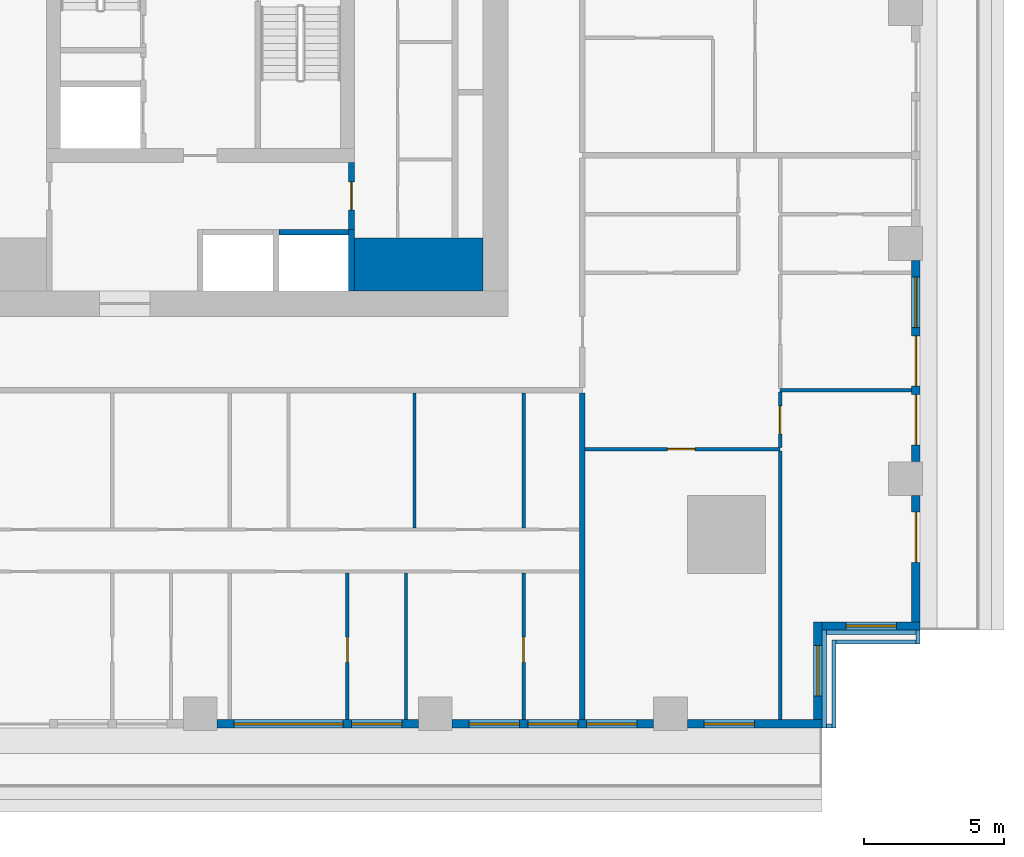
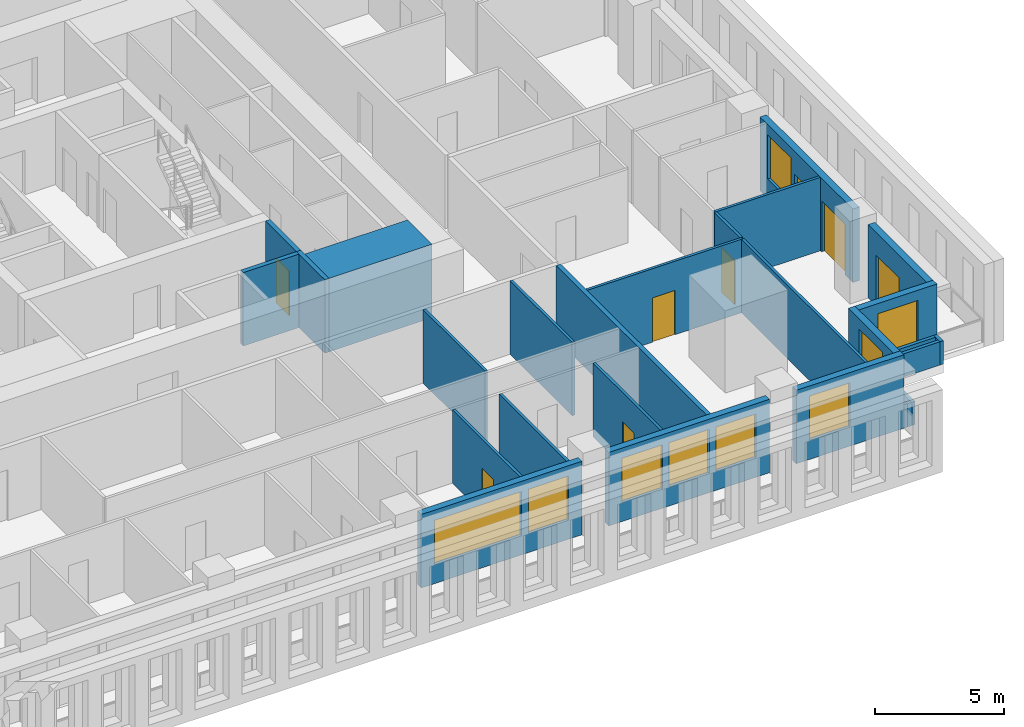
# One storey, part 5 of 16: 27 walls, 9 windows, 8 doors, 17 openings.
"""IFC4 building model written with IfcOpenShell, lengths in metres."""

from ifc_helpers import new_model, si_unit, direction, frame, frame_2d, origin, place, context, subcontext, project, spatial, rectangle, extrude, material, layer, layer_set, type_object, element, fill, save


model = new_model("IFC4")

# Units and contexts
model_context = context("Model", 3, precision=1e-05, world=origin(), true_north=direction((0.0, 1.0)))
body_context = subcontext(model_context, "Body", "Model", "MODEL_VIEW")
ifc_project = project(units=[si_unit("LENGTHUNIT", "METRE"), si_unit("AREAUNIT", "SQUARE_METRE"), si_unit("VOLUMEUNIT", "CUBIC_METRE"), si_unit("PLANEANGLEUNIT", "RADIAN"), si_unit("MASSUNIT", "GRAM", prefix="KILO")], contexts=[model_context])

# Site, building, storey
site_placement = place(None, origin())
site = spatial("IfcSite", under=ifc_project, at=site_placement, CompositionType="ELEMENT")
building_placement = place(site_placement, origin())
building = spatial("IfcBuilding", under=site, at=building_placement, Name="Khepri Terraces", CompositionType="ELEMENT")
storey_placement = place(building_placement, frame((0.0, 0.0, 79.199951171875)))
storey = spatial("IfcBuildingStorey", under=building, at=storey_placement, Name="L18", CompositionType="ELEMENT", Elevation=79.199951171875)

# Walls
ifc_material_1 = material(Name="Concrete C70/85", Category="concrete")
ifc_layer_1 = layer(ifc_material_1, 1.89990234375, Name="Concrete C70/85", Category="concrete")
ifc_layer_set_1 = layer_set([ifc_layer_1], Name="Concrete C70/85")
wall_type_1 = type_object("IfcWallType", Name="Core wall 1900 C70/85", PredefinedType="SHEAR", material=ifc_layer_set_1)
wall_1_placement = place(storey_placement, frame((5.5, -9.14990234375, 0.0), z_axis=(0.0, 0.0, 1.0), x_axis=(1.0, 0.0, 0.0)))
element("IfcWall", 1, at=wall_1_placement, inside=storey, type_object=wall_type_1, Name="Core wall PR02 L18", PredefinedType="SHEAR", context=body_context, shape_type="SweptSolid", body=[
    extrude(rectangle(XDim=4.60009765625, YDim=1.89990234375, at=frame_2d((2.300048828125, 0.0))), origin(), (0.0, 0.0, 1.0), 3.47998046875),
])
ifc_layer_2 = layer(ifc_material_1, 0.199951171875, Name="Concrete C70/85", Category="concrete")
ifc_layer_set_2 = layer_set([ifc_layer_2], Name="Concrete C70/85")
wall_type_2 = type_object("IfcWallType", Name="Core wall 200 C70/85", PredefinedType="SHEAR", material=ifc_layer_set_2)
wall_2_placement = place(storey_placement, frame((5.39990234375, -10.10009765625, 0.0), z_axis=(0.0, 0.0, 1.0), x_axis=(0.0, 1.0, 0.0)))
element("IfcWall", 2, at=wall_2_placement, inside=storey, type_object=wall_type_2, Name="Core wall SH03 L18", PredefinedType="SHEAR", context=body_context, shape_type="SweptSolid", body=[
    extrude(rectangle(XDim=2.2001953125, YDim=0.199951171875, at=frame_2d((1.10009765625, 0.0))), origin(), (0.0, 0.0, 1.0), 3.47998046875),
])
wall_3_placement = place(storey_placement, frame((2.800048828125, -8.0, 0.0), z_axis=(0.0, 0.0, 1.0), x_axis=(1.0, 0.0, 0.0)))
element("IfcWall", 3, at=wall_3_placement, inside=storey, type_object=wall_type_2, Name="Core wall SH07 L18", PredefinedType="SHEAR", context=body_context, shape_type="SweptSolid", body=[
    extrude(rectangle(XDim=2.5, YDim=0.199951171875, at=frame_2d((1.25, 0.0))), origin(), (0.0, 0.0, 1.0), 3.47998046875),
])

# Wall, opening, door
ifc_material_2 = material(Name="Fire-rated gypsum board partition")
ifc_layer_3 = layer(ifc_material_2, 0.199951171875, Name="Fire-rated gypsum board partition")
ifc_layer_set_3 = layer_set([ifc_layer_3], Name="Fire-rated gypsum board partition")
wall_type_3 = type_object("IfcWallType", Name="WL-CORE-PART-200", PredefinedType="PARTITIONING", material=ifc_layer_set_3)
wall_4_placement = place(storey_placement, frame((5.39990234375, -7.89990234375, 0.0), z_axis=(0.0, 0.0, 1.0), x_axis=(0.0, 1.0, 0.0)))
wall_4 = element("IfcWall", 4, at=wall_4_placement, inside=storey, type_object=wall_type_3, Name="Core partition PT03 L18", PredefinedType="PARTITIONING", context=body_context, shape_type="SweptSolid", body=[
    extrude(rectangle(XDim=2.39990234375, YDim=0.199951171875, at=frame_2d((1.199951171875, 0.0))), origin(), (0.0, 0.0, 1.0), 3.47998046875),
])
opening_1_placement = place(wall_4_placement, frame((0.699951171875, 0.0, 0.0)))
opening_1 = element("IfcOpeningElement", 5, at=opening_1_placement, cuts=wall_4, Name="Opening L18-C19", PredefinedType="OPENING", context=body_context, shape_type="SweptSolid", body=[
    extrude(rectangle(XDim=1.0, YDim=2.10009765625, at=frame_2d((0.5, 1.050048828125))), frame((0.0, 0.10986328125, 0.0), z_axis=(0.0, -1.0, 0.0), x_axis=(1.0, 0.0, 0.0)), (0.0, 0.0, 1.0), 0.219970703125),
])
ifc_material_3 = material(Name="Painted steel", Category="steel")
door_type_1 = type_object("IfcDoorType", Name="DR-CORE-LOBBY-1000", OperationType="NOTDEFINED", PredefinedType="DOOR", material=ifc_material_3)
door_1_placement = place(opening_1_placement, origin())
door_1 = element("IfcDoor", 6, at=door_1_placement, inside=storey, type_object=door_type_1, Name="Lobby door L18-C19", OperationType="SINGLE_SWING_RIGHT", OverallHeight=2.10009765625, OverallWidth=1.0, PredefinedType="DOOR", context=body_context, shape_type="SweptSolid", body=[
    extrude(rectangle(XDim=1.0, YDim=2.10009765625, at=frame_2d((0.5, 1.050048828125))), frame((0.0, 0.02490234375, 0.0), z_axis=(0.0, -1.0, 0.0), x_axis=(1.0, 0.0, 0.0)), (0.0, 0.0, 1.0), 0.050048828125),
])
fill(opening_1, door_1)

# Wall
ifc_material_4 = material(Name="Fire-rated gypsum plasterboard partition, mineral wool")
ifc_layer_4 = layer(ifc_material_4, 0.199951171875, Name="Fire-rated gypsum plasterboard partition, mineral wool")
ifc_layer_set_4 = layer_set([ifc_layer_4], Name="Fire-rated gypsum plasterboard partition, mineral wool")
wall_type_4 = type_object("IfcWallType", Name="WL-CORR-200", PredefinedType="PARTITIONING", material=ifc_layer_set_4)
wall_5_placement = place(storey_placement, frame((13.64990234375, -25.419921875, 0.0), z_axis=(0.0, 0.0, 1.0), x_axis=(0.0, 1.0, 0.0)))
element("IfcWall", 7, at=wall_5_placement, inside=storey, type_object=wall_type_4, Name="Partition P-009 L18", PredefinedType="PARTITIONING", context=body_context, shape_type="SweptSolid", body=[
    extrude(rectangle(XDim=11.669921875, YDim=0.199951171875, at=frame_2d((5.8349609375, 0.0))), origin(), (0.0, 0.0, 1.0), 3.47998046875),
])

# Wall, opening, window
ifc_material_5 = material(Name="Precast concrete C50/60 warm stone", Category="masonry")
ifc_layer_5 = layer(ifc_material_5, 0.300048828125, Name="Precast concrete C50/60 warm stone", Category="masonry")
ifc_layer_set_5 = layer_set([ifc_layer_5], Name="Precast concrete C50/60 warm stone")
wall_type_5 = type_object("IfcWallType", Name="WL-EXT-PRECAST-300", PredefinedType="STANDARD", material=ifc_layer_set_5)
wall_6_placement = place(storey_placement, frame((22.219970703125, -22.070068359375, 0.0), z_axis=(0.0, 0.0, 1.0), x_axis=(1.0, 0.0, 0.0)))
wall_6 = element("IfcWall", 8, at=wall_6_placement, inside=storey, type_object=wall_type_5, Name="External wall L18 S", PredefinedType="STANDARD", context=body_context, shape_type="SweptSolid", body=[
    extrude(rectangle(XDim=3.5, YDim=0.300048828125, at=frame_2d((1.75, 0.0))), origin(), (0.0, 0.0, 1.0), 3.47998046875),
])
opening_2_placement = place(wall_6_placement, frame((0.85009765625, 0.0, 0.89990234375)))
opening_2 = element("IfcOpeningElement", 9, at=opening_2_placement, cuts=wall_6, Name="Opening W1", PredefinedType="OPENING", context=body_context, shape_type="SweptSolid", body=[
    extrude(rectangle(XDim=1.800048828125, YDim=2.10009765625, at=frame_2d((0.89990234375, 1.050048828125))), frame((0.0, 0.16015625, 0.0), z_axis=(0.0, -1.0, 0.0), x_axis=(1.0, 0.0, 0.0)), (0.0, 0.0, 1.0), 0.320068359375),
])
ifc_material_6 = material(Name="Clear glass", Category="glass")
window_type_1 = type_object("IfcWindowType", Name="WIN-RES-1800x2100", PartitioningType="SINGLE_PANEL", PredefinedType="WINDOW", material=ifc_material_6)
window_1_placement = place(opening_2_placement, origin())
window_1 = element("IfcWindow", 10, at=window_1_placement, inside=storey, type_object=window_type_1, Name="Window L18 S", OverallHeight=2.10009765625, OverallWidth=1.800048828125, PartitioningType="SINGLE_PANEL", PredefinedType="WINDOW", context=body_context, shape_type="SweptSolid", body=[
    extrude(rectangle(XDim=1.800048828125, YDim=2.10009765625, at=frame_2d((0.89990234375, 1.050048828125))), frame((0.0, 0.030029296875, 0.0), z_axis=(0.0, -1.0, 0.0), x_axis=(1.0, 0.0, 0.0)), (0.0, 0.0, 1.0), 0.06005859375),
])
fill(opening_2, window_1)

# Wall, opening, door
wall_7_placement = place(storey_placement, frame((25.570068359375, -21.919921875, 0.0), z_axis=(0.0, 0.0, 1.0), x_axis=(0.0, 1.0, 0.0)))
wall_7 = element("IfcWall", 11, at=wall_7_placement, inside=storey, type_object=wall_type_5, Name="External wall L18 E", PredefinedType="STANDARD", context=body_context, shape_type="SweptSolid", body=[
    extrude(rectangle(XDim=4.52001953125, YDim=0.300048828125, at=frame_2d((2.260009765625, 0.0))), origin(), (0.0, 0.0, 1.0), 3.47998046875),
])
opening_3_placement = place(wall_7_placement, frame((2.1201171875, 0.0, 0.0)))
opening_3 = element("IfcOpeningElement", 12, at=opening_3_placement, cuts=wall_7, Name="Opening ED-L18-01", PredefinedType="OPENING", context=body_context, shape_type="SweptSolid", body=[
    extrude(rectangle(XDim=1.800048828125, YDim=2.39990234375, at=frame_2d((0.89990234375, 1.199951171875))), frame((0.0, 0.16015625, 0.0), z_axis=(0.0, -1.0, 0.0), x_axis=(1.0, 0.0, 0.0)), (0.0, 0.0, 1.0), 0.320068359375),
])
ifc_material_7 = material(Name="Anodised aluminium bronze glazed door", Category="aluminium")
door_type_2 = type_object("IfcDoorType", Name="DR-BAL-SLIDE-1800x2400", OperationType="NOTDEFINED", PredefinedType="DOOR", material=ifc_material_7)
door_2_placement = place(opening_3_placement, origin())
door_2 = element("IfcDoor", 13, at=door_2_placement, inside=storey, type_object=door_type_2, Name="Balcony door L18 E", OperationType="SLIDING_TO_RIGHT", OverallHeight=2.39990234375, OverallWidth=1.800048828125, PredefinedType="DOOR", context=body_context, shape_type="SweptSolid", body=[
    extrude(rectangle(XDim=1.800048828125, YDim=2.39990234375, at=frame_2d((0.89990234375, 1.199951171875))), frame((0.0, 0.02490234375, 0.0), z_axis=(0.0, -1.0, 0.0), x_axis=(1.0, 0.0, 0.0)), (0.0, 0.0, 1.0), 0.050048828125),
])
fill(opening_3, door_2)

# Wall, openings, doors, window
wall_8_placement = place(storey_placement, frame((25.570068359375, -16.199951171875, 0.0), z_axis=(0.0, 0.0, 1.0), x_axis=(0.0, 1.0, 0.0)))
wall_8 = element("IfcWall", 14, at=wall_8_placement, inside=storey, type_object=wall_type_5, Name="External wall L18 E", PredefinedType="STANDARD", context=body_context, shape_type="SweptSolid", body=[
    extrude(rectangle(XDim=7.199951171875, YDim=0.300048828125, at=frame_2d((3.60009765625, 0.0))), origin(), (0.0, 0.0, 1.0), 3.47998046875),
])
opening_4_placement = place(wall_8_placement, frame((0.60009765625, 0.0, 0.0)))
opening_4 = element("IfcOpeningElement", 15, at=opening_4_placement, cuts=wall_8, Name="Opening ED-L18-02", PredefinedType="OPENING", context=body_context, shape_type="SweptSolid", body=[
    extrude(rectangle(XDim=1.800048828125, YDim=2.39990234375, at=frame_2d((0.89990234375, 1.199951171875))), frame((0.0, 0.16015625, 0.0), z_axis=(0.0, -1.0, 0.0), x_axis=(1.0, 0.0, 0.0)), (0.0, 0.0, 1.0), 0.320068359375),
])
opening_5_placement = place(wall_8_placement, frame((2.699951171875, 0.0, 0.0)))
opening_5 = element("IfcOpeningElement", 16, at=opening_5_placement, cuts=wall_8, Name="Opening ED-L18-03", PredefinedType="OPENING", context=body_context, shape_type="SweptSolid", body=[
    extrude(rectangle(XDim=1.800048828125, YDim=2.39990234375, at=frame_2d((0.89990234375, 1.199951171875))), frame((0.0, 0.16015625, 0.0), z_axis=(0.0, -1.0, 0.0), x_axis=(1.0, 0.0, 0.0)), (0.0, 0.0, 1.0), 0.320068359375),
])
opening_6_placement = place(wall_8_placement, frame((4.800048828125, 0.0, 0.89990234375)))
opening_6 = element("IfcOpeningElement", 17, at=opening_6_placement, cuts=wall_8, Name="Opening W1", PredefinedType="OPENING", context=body_context, shape_type="SweptSolid", body=[
    extrude(rectangle(XDim=1.800048828125, YDim=2.10009765625, at=frame_2d((0.89990234375, 1.050048828125))), frame((0.0, 0.16015625, 0.0), z_axis=(0.0, -1.0, 0.0), x_axis=(1.0, 0.0, 0.0)), (0.0, 0.0, 1.0), 0.320068359375),
])
door_3_placement = place(opening_4_placement, origin())
door_3 = element("IfcDoor", 18, at=door_3_placement, inside=storey, type_object=door_type_2, Name="Balcony door L18 E", OperationType="SLIDING_TO_LEFT", OverallHeight=2.39990234375, OverallWidth=1.800048828125, PredefinedType="DOOR", context=body_context, shape_type="SweptSolid", body=[
    extrude(rectangle(XDim=1.800048828125, YDim=2.39990234375, at=frame_2d((0.89990234375, 1.199951171875))), frame((0.0, 0.02490234375, 0.0), z_axis=(0.0, -1.0, 0.0), x_axis=(1.0, 0.0, 0.0)), (0.0, 0.0, 1.0), 0.050048828125),
])
fill(opening_4, door_3)
door_4_placement = place(opening_5_placement, origin())
door_4 = element("IfcDoor", 19, at=door_4_placement, inside=storey, type_object=door_type_2, Name="Balcony door L18 E", OperationType="SLIDING_TO_RIGHT", OverallHeight=2.39990234375, OverallWidth=1.800048828125, PredefinedType="DOOR", context=body_context, shape_type="SweptSolid", body=[
    extrude(rectangle(XDim=1.800048828125, YDim=2.39990234375, at=frame_2d((0.89990234375, 1.199951171875))), frame((0.0, 0.02490234375, 0.0), z_axis=(0.0, -1.0, 0.0), x_axis=(1.0, 0.0, 0.0)), (0.0, 0.0, 1.0), 0.050048828125),
])
fill(opening_5, door_4)
window_2_placement = place(opening_6_placement, origin())
window_2 = element("IfcWindow", 20, at=window_2_placement, inside=storey, type_object=window_type_1, Name="Window L18 E", OverallHeight=2.10009765625, OverallWidth=1.800048828125, PartitioningType="SINGLE_PANEL", PredefinedType="WINDOW", context=body_context, shape_type="SweptSolid", body=[
    extrude(rectangle(XDim=1.800048828125, YDim=2.10009765625, at=frame_2d((0.89990234375, 1.050048828125))), frame((0.0, 0.030029296875, 0.0), z_axis=(0.0, -1.0, 0.0), x_axis=(1.0, 0.0, 0.0)), (0.0, 0.0, 1.0), 0.06005859375),
])
fill(opening_6, window_2)

# Wall, openings, windows
wall_9_placement = place(storey_placement, frame((0.60009765625, -25.570068359375, 0.0), z_axis=(0.0, 0.0, 1.0), x_axis=(1.0, 0.0, 0.0)))
wall_9 = element("IfcWall", 21, at=wall_9_placement, inside=storey, type_object=wall_type_5, Name="External wall L18 S", PredefinedType="STANDARD", context=body_context, shape_type="SweptSolid", body=[
    extrude(rectangle(XDim=7.199951171875, YDim=0.300048828125, at=frame_2d((3.60009765625, 0.0))), origin(), (0.0, 0.0, 1.0), 3.47998046875),
])
opening_7_placement = place(wall_9_placement, frame((0.60009765625, 0.0, 0.89990234375)))
opening_7 = element("IfcOpeningElement", 22, at=opening_7_placement, cuts=wall_9, Name="Opening W2", PredefinedType="OPENING", context=body_context, shape_type="SweptSolid", body=[
    extrude(rectangle(XDim=3.89990234375, YDim=2.10009765625, at=frame_2d((1.949951171875, 1.050048828125))), frame((0.0, 0.16015625, 0.0), z_axis=(0.0, -1.0, 0.0), x_axis=(1.0, 0.0, 0.0)), (0.0, 0.0, 1.0), 0.320068359375),
])
opening_8_placement = place(wall_9_placement, frame((4.800048828125, 0.0, 0.89990234375)))
opening_8 = element("IfcOpeningElement", 23, at=opening_8_placement, cuts=wall_9, Name="Opening W1", PredefinedType="OPENING", context=body_context, shape_type="SweptSolid", body=[
    extrude(rectangle(XDim=1.800048828125, YDim=2.10009765625, at=frame_2d((0.89990234375, 1.050048828125))), frame((0.0, 0.16015625, 0.0), z_axis=(0.0, -1.0, 0.0), x_axis=(1.0, 0.0, 0.0)), (0.0, 0.0, 1.0), 0.320068359375),
])
window_3_placement = place(opening_8_placement, origin())
window_3 = element("IfcWindow", 24, at=window_3_placement, inside=storey, type_object=window_type_1, Name="Window L18 S", OverallHeight=2.10009765625, OverallWidth=1.800048828125, PartitioningType="SINGLE_PANEL", PredefinedType="WINDOW", context=body_context, shape_type="SweptSolid", body=[
    extrude(rectangle(XDim=1.800048828125, YDim=2.10009765625, at=frame_2d((0.89990234375, 1.050048828125))), frame((0.0, 0.030029296875, 0.0), z_axis=(0.0, -1.0, 0.0), x_axis=(1.0, 0.0, 0.0)), (0.0, 0.0, 1.0), 0.06005859375),
])
fill(opening_8, window_3)
window_type_2 = type_object("IfcWindowType", Name="WIN-RES-3900x2100", PartitioningType="SINGLE_PANEL", PredefinedType="WINDOW", material=ifc_material_6)
window_4_placement = place(opening_7_placement, origin())
window_4 = element("IfcWindow", 25, at=window_4_placement, inside=storey, type_object=window_type_2, Name="Window L18 S", OverallHeight=2.10009765625, OverallWidth=3.89990234375, PartitioningType="SINGLE_PANEL", PredefinedType="WINDOW", context=body_context, shape_type="SweptSolid", body=[
    extrude(rectangle(XDim=3.89990234375, YDim=2.10009765625, at=frame_2d((1.949951171875, 1.050048828125))), frame((0.0, 0.030029296875, 0.0), z_axis=(0.0, -1.0, 0.0), x_axis=(1.0, 0.0, 0.0)), (0.0, 0.0, 1.0), 0.06005859375),
])
fill(opening_7, window_4)

wall_10_placement = place(storey_placement, frame((9.0, -25.570068359375, 0.0), z_axis=(0.0, 0.0, 1.0), x_axis=(1.0, 0.0, 0.0)))
wall_10 = element("IfcWall", 26, at=wall_10_placement, inside=storey, type_object=wall_type_5, Name="External wall L18 S", PredefinedType="STANDARD", context=body_context, shape_type="SweptSolid", body=[
    extrude(rectangle(XDim=7.199951171875, YDim=0.300048828125, at=frame_2d((3.60009765625, 0.0))), origin(), (0.0, 0.0, 1.0), 3.47998046875),
])
opening_9_placement = place(wall_10_placement, frame((0.60009765625, 0.0, 0.89990234375)))
opening_9 = element("IfcOpeningElement", 27, at=opening_9_placement, cuts=wall_10, Name="Opening W1", PredefinedType="OPENING", context=body_context, shape_type="SweptSolid", body=[
    extrude(rectangle(XDim=1.800048828125, YDim=2.10009765625, at=frame_2d((0.89990234375, 1.050048828125))), frame((0.0, 0.16015625, 0.0), z_axis=(0.0, -1.0, 0.0), x_axis=(1.0, 0.0, 0.0)), (0.0, 0.0, 1.0), 0.320068359375),
])
opening_10_placement = place(wall_10_placement, frame((2.699951171875, 0.0, 0.89990234375)))
opening_10 = element("IfcOpeningElement", 28, at=opening_10_placement, cuts=wall_10, Name="Opening W1", PredefinedType="OPENING", context=body_context, shape_type="SweptSolid", body=[
    extrude(rectangle(XDim=1.800048828125, YDim=2.10009765625, at=frame_2d((0.89990234375, 1.050048828125))), frame((0.0, 0.16015625, 0.0), z_axis=(0.0, -1.0, 0.0), x_axis=(1.0, 0.0, 0.0)), (0.0, 0.0, 1.0), 0.320068359375),
])
opening_11_placement = place(wall_10_placement, frame((4.800048828125, 0.0, 0.89990234375)))
opening_11 = element("IfcOpeningElement", 29, at=opening_11_placement, cuts=wall_10, Name="Opening W1", PredefinedType="OPENING", context=body_context, shape_type="SweptSolid", body=[
    extrude(rectangle(XDim=1.800048828125, YDim=2.10009765625, at=frame_2d((0.89990234375, 1.050048828125))), frame((0.0, 0.16015625, 0.0), z_axis=(0.0, -1.0, 0.0), x_axis=(1.0, 0.0, 0.0)), (0.0, 0.0, 1.0), 0.320068359375),
])
window_5_placement = place(opening_9_placement, origin())
window_5 = element("IfcWindow", 30, at=window_5_placement, inside=storey, type_object=window_type_1, Name="Window L18 S", OverallHeight=2.10009765625, OverallWidth=1.800048828125, PartitioningType="SINGLE_PANEL", PredefinedType="WINDOW", context=body_context, shape_type="SweptSolid", body=[
    extrude(rectangle(XDim=1.800048828125, YDim=2.10009765625, at=frame_2d((0.89990234375, 1.050048828125))), frame((0.0, 0.030029296875, 0.0), z_axis=(0.0, -1.0, 0.0), x_axis=(1.0, 0.0, 0.0)), (0.0, 0.0, 1.0), 0.06005859375),
])
fill(opening_9, window_5)
window_6_placement = place(opening_10_placement, origin())
window_6 = element("IfcWindow", 31, at=window_6_placement, inside=storey, type_object=window_type_1, Name="Window L18 S", OverallHeight=2.10009765625, OverallWidth=1.800048828125, PartitioningType="SINGLE_PANEL", PredefinedType="WINDOW", context=body_context, shape_type="SweptSolid", body=[
    extrude(rectangle(XDim=1.800048828125, YDim=2.10009765625, at=frame_2d((0.89990234375, 1.050048828125))), frame((0.0, 0.030029296875, 0.0), z_axis=(0.0, -1.0, 0.0), x_axis=(1.0, 0.0, 0.0)), (0.0, 0.0, 1.0), 0.06005859375),
])
fill(opening_10, window_6)
window_7_placement = place(opening_11_placement, origin())
window_7 = element("IfcWindow", 32, at=window_7_placement, inside=storey, type_object=window_type_1, Name="Window L18 S", OverallHeight=2.10009765625, OverallWidth=1.800048828125, PartitioningType="SINGLE_PANEL", PredefinedType="WINDOW", context=body_context, shape_type="SweptSolid", body=[
    extrude(rectangle(XDim=1.800048828125, YDim=2.10009765625, at=frame_2d((0.89990234375, 1.050048828125))), frame((0.0, 0.030029296875, 0.0), z_axis=(0.0, -1.0, 0.0), x_axis=(1.0, 0.0, 0.0)), (0.0, 0.0, 1.0), 0.06005859375),
])
fill(opening_11, window_7)

# Wall, opening, window
wall_11_placement = place(storey_placement, frame((17.39990234375, -25.570068359375, 0.0), z_axis=(0.0, 0.0, 1.0), x_axis=(1.0, 0.0, 0.0)))
wall_11 = element("IfcWall", 33, at=wall_11_placement, inside=storey, type_object=wall_type_5, Name="External wall L18 S", PredefinedType="STANDARD", context=body_context, shape_type="SweptSolid", body=[
    extrude(rectangle(XDim=4.820068359375, YDim=0.300048828125, at=frame_2d((2.41015625, 0.0))), origin(), (0.0, 0.0, 1.0), 3.47998046875),
])
opening_12_placement = place(wall_11_placement, frame((0.60009765625, 0.0, 0.89990234375)))
opening_12 = element("IfcOpeningElement", 34, at=opening_12_placement, cuts=wall_11, Name="Opening W1", PredefinedType="OPENING", context=body_context, shape_type="SweptSolid", body=[
    extrude(rectangle(XDim=1.800048828125, YDim=2.10009765625, at=frame_2d((0.89990234375, 1.050048828125))), frame((0.0, 0.16015625, 0.0), z_axis=(0.0, -1.0, 0.0), x_axis=(1.0, 0.0, 0.0)), (0.0, 0.0, 1.0), 0.320068359375),
])
window_8_placement = place(opening_12_placement, origin())
window_8 = element("IfcWindow", 35, at=window_8_placement, inside=storey, type_object=window_type_1, Name="Window L18 S", OverallHeight=2.10009765625, OverallWidth=1.800048828125, PartitioningType="SINGLE_PANEL", PredefinedType="WINDOW", context=body_context, shape_type="SweptSolid", body=[
    extrude(rectangle(XDim=1.800048828125, YDim=2.10009765625, at=frame_2d((0.89990234375, 1.050048828125))), frame((0.0, 0.030029296875, 0.0), z_axis=(0.0, -1.0, 0.0), x_axis=(1.0, 0.0, 0.0)), (0.0, 0.0, 1.0), 0.06005859375),
])
fill(opening_12, window_8)

wall_12_placement = place(storey_placement, frame((22.070068359375, -25.419921875, 0.0), z_axis=(0.0, 0.0, 1.0), x_axis=(0.0, 1.0, 0.0)))
wall_12 = element("IfcWall", 36, at=wall_12_placement, inside=storey, type_object=wall_type_5, Name="External wall L18 E", PredefinedType="STANDARD", context=body_context, shape_type="SweptSolid", body=[
    extrude(rectangle(XDim=3.5, YDim=0.300048828125, at=frame_2d((1.75, 0.0))), origin(), (0.0, 0.0, 1.0), 3.47998046875),
])
opening_13_placement = place(wall_12_placement, frame((0.85009765625, 0.0, 0.89990234375)))
opening_13 = element("IfcOpeningElement", 37, at=opening_13_placement, cuts=wall_12, Name="Opening W1", PredefinedType="OPENING", context=body_context, shape_type="SweptSolid", body=[
    extrude(rectangle(XDim=1.800048828125, YDim=2.10009765625, at=frame_2d((0.89990234375, 1.050048828125))), frame((0.0, 0.16015625, 0.0), z_axis=(0.0, -1.0, 0.0), x_axis=(1.0, 0.0, 0.0)), (0.0, 0.0, 1.0), 0.320068359375),
])
window_9_placement = place(opening_13_placement, origin())
window_9 = element("IfcWindow", 38, at=window_9_placement, inside=storey, type_object=window_type_1, Name="Window L18 E", OverallHeight=2.10009765625, OverallWidth=1.800048828125, PartitioningType="SINGLE_PANEL", PredefinedType="WINDOW", context=body_context, shape_type="SweptSolid", body=[
    extrude(rectangle(XDim=1.800048828125, YDim=2.10009765625, at=frame_2d((0.89990234375, 1.050048828125))), frame((0.0, 0.030029296875, 0.0), z_axis=(0.0, -1.0, 0.0), x_axis=(1.0, 0.0, 0.0)), (0.0, 0.0, 1.0), 0.06005859375),
])
fill(opening_13, window_9)

# Walls
ifc_layer_6 = layer(ifc_material_5, 0.14990234375, Name="Precast concrete C50/60 warm stone", Category="masonry")
ifc_layer_set_6 = layer_set([ifc_layer_6], Name="Precast concrete C50/60 warm stone")
wall_type_6 = type_object("IfcWallType", Name="WL-PARAPET-150", PredefinedType="PARAPET", material=ifc_layer_set_6)
wall_13_placement = place(storey_placement, frame((22.294921875, -25.719970703125, 0.0), z_axis=(0.0, 0.0, 1.0), x_axis=(0.0, 1.0, 0.0)))
element("IfcWall", 39, at=wall_13_placement, inside=storey, type_object=wall_type_6, Name="Ledge parapet L18", PredefinedType="PARAPET", context=body_context, shape_type="SweptSolid", body=[
    extrude(rectangle(XDim=3.5, YDim=0.14990234375, at=frame_2d((1.75, 0.0))), origin(), (0.0, 0.0, 1.0), 1.10009765625),
])
wall_14_placement = place(storey_placement, frame((22.3701171875, -25.64501953125, 0.0), z_axis=(0.0, 0.0, 1.0), x_axis=(1.0, 0.0, 0.0)))
element("IfcWall", 40, at=wall_14_placement, inside=storey, type_object=wall_type_6, Name="Ledge parapet L18", PredefinedType="PARAPET", context=body_context, shape_type="SweptSolid", body=[
    extrude(rectangle(XDim=0.199951171875, YDim=0.14990234375, at=frame_2d((0.10009765625, 0.0))), origin(), (0.0, 0.0, 1.0), 1.10009765625),
])
wall_15_placement = place(storey_placement, frame((22.3701171875, -22.294921875, 0.0), z_axis=(0.0, 0.0, 1.0), x_axis=(1.0, 0.0, 0.0)))
element("IfcWall", 41, at=wall_15_placement, inside=storey, type_object=wall_type_6, Name="Ledge parapet L18", PredefinedType="PARAPET", context=body_context, shape_type="SweptSolid", body=[
    extrude(rectangle(XDim=3.199951171875, YDim=0.14990234375, at=frame_2d((1.60009765625, 0.0))), origin(), (0.0, 0.0, 1.0), 1.10009765625),
])
wall_16_placement = place(storey_placement, frame((22.64501953125, -25.719970703125, 0.0), z_axis=(0.0, 0.0, 1.0), x_axis=(0.0, 1.0, 0.0)))
element("IfcWall", 42, at=wall_16_placement, inside=storey, type_object=wall_type_6, Name="Ledge parapet L18", PredefinedType="PARAPET", context=body_context, shape_type="SweptSolid", body=[
    extrude(rectangle(XDim=3.14990234375, YDim=0.14990234375, at=frame_2d((1.574951171875, 0.0))), origin(), (0.0, 0.0, 1.0), 1.10009765625),
])
wall_17_placement = place(storey_placement, frame((22.719970703125, -22.64501953125, 0.0), z_axis=(0.0, 0.0, 1.0), x_axis=(1.0, 0.0, 0.0)))
element("IfcWall", 43, at=wall_17_placement, inside=storey, type_object=wall_type_6, Name="Ledge parapet L18", PredefinedType="PARAPET", context=body_context, shape_type="SweptSolid", body=[
    extrude(rectangle(XDim=2.85009765625, YDim=0.14990234375, at=frame_2d((1.425048828125, 0.0))), origin(), (0.0, 0.0, 1.0), 1.10009765625),
])
wall_18_placement = place(storey_placement, frame((25.64501953125, -22.719970703125, 0.0), z_axis=(0.0, 0.0, 1.0), x_axis=(0.0, 1.0, 0.0)))
element("IfcWall", 44, at=wall_18_placement, inside=storey, type_object=wall_type_6, Name="Ledge parapet L18", PredefinedType="PARAPET", context=body_context, shape_type="SweptSolid", body=[
    extrude(rectangle(XDim=0.5, YDim=0.14990234375, at=frame_2d((0.25, 0.0))), origin(), (0.0, 0.0, 1.0), 1.10009765625),
])

# Wall, opening, door
ifc_material_8 = material(Name="Gypsum plasterboard partition")
ifc_layer_7 = layer(ifc_material_8, 0.1201171875, Name="Gypsum plasterboard partition")
ifc_layer_set_7 = layer_set([ifc_layer_7], Name="Gypsum plasterboard partition")
wall_type_7 = type_object("IfcWallType", Name="WL-PART-120", PredefinedType="PARTITIONING", material=ifc_layer_set_7)
wall_19_placement = place(storey_placement, frame((5.25, -25.419921875, 0.0), z_axis=(0.0, 0.0, 1.0), x_axis=(0.0, 1.0, 0.0)))
wall_19 = element("IfcWall", 45, at=wall_19_placement, inside=storey, type_object=wall_type_7, Name="Partition P-006 L18", PredefinedType="PARTITIONING", context=body_context, shape_type="SweptSolid", body=[
    extrude(rectangle(XDim=5.239990234375, YDim=0.1201171875, at=frame_2d((2.6201171875, 0.0))), origin(), (0.0, 0.0, 1.0), 3.47998046875),
])
opening_14_placement = place(wall_19_placement, frame((2.050048828125, 0.0, 0.0)))
opening_14 = element("IfcOpeningElement", 46, at=opening_14_placement, cuts=wall_19, Name="Opening D4", PredefinedType="OPENING", context=body_context, shape_type="SweptSolid", body=[
    extrude(rectangle(XDim=0.89990234375, YDim=2.10009765625, at=frame_2d((0.449951171875, 1.050048828125))), frame((0.0, 0.070068359375, 0.0), z_axis=(0.0, -1.0, 0.0), x_axis=(1.0, 0.0, 0.0)), (0.0, 0.0, 1.0), 0.14013671875),
])
ifc_material_9 = material(Name="Timber door leaf, moisture resistant", Category="wood")
door_type_3 = type_object("IfcDoorType", Name="DR-WET-900", OperationType="NOTDEFINED", PredefinedType="DOOR", material=ifc_material_9)
door_5_placement = place(opening_14_placement, frame((0.89990234375, 0.0, 0.0), z_axis=(0.0, 0.0, 1.0), x_axis=(-1.0, 0.0, 0.0)))
door_5 = element("IfcDoor", 47, at=door_5_placement, inside=storey, type_object=door_type_3, Name="Door Bathroom", OperationType="SINGLE_SWING_RIGHT", OverallHeight=2.10009765625, OverallWidth=0.89990234375, PredefinedType="DOOR", context=body_context, shape_type="SweptSolid", body=[
    extrude(rectangle(XDim=0.89990234375, YDim=2.10009765625, at=frame_2d((0.449951171875, 1.050048828125))), frame((0.0, 0.02490234375, 0.0), z_axis=(0.0, -1.0, 0.0), x_axis=(1.0, 0.0, 0.0)), (0.0, 0.0, 1.0), 0.050048828125),
])
fill(opening_14, door_5)

# Wall
wall_20_placement = place(storey_placement, frame((7.35009765625, -25.419921875, 0.0), z_axis=(0.0, 0.0, 1.0), x_axis=(0.0, 1.0, 0.0)))
element("IfcWall", 48, at=wall_20_placement, inside=storey, type_object=wall_type_7, Name="Partition P-007 L18", PredefinedType="PARTITIONING", context=body_context, shape_type="SweptSolid", body=[
    extrude(rectangle(XDim=5.239990234375, YDim=0.1201171875, at=frame_2d((2.6201171875, 0.0))), origin(), (0.0, 0.0, 1.0), 3.47998046875),
])

# Wall, opening, door
wall_21_placement = place(storey_placement, frame((11.550048828125, -25.419921875, 0.0), z_axis=(0.0, 0.0, 1.0), x_axis=(0.0, 1.0, 0.0)))
wall_21 = element("IfcWall", 49, at=wall_21_placement, inside=storey, type_object=wall_type_7, Name="Partition P-008 L18", PredefinedType="PARTITIONING", context=body_context, shape_type="SweptSolid", body=[
    extrude(rectangle(XDim=5.239990234375, YDim=0.1201171875, at=frame_2d((2.6201171875, 0.0))), origin(), (0.0, 0.0, 1.0), 3.47998046875),
])
opening_15_placement = place(wall_21_placement, frame((2.050048828125, 0.0, 0.0)))
opening_15 = element("IfcOpeningElement", 50, at=opening_15_placement, cuts=wall_21, Name="Opening D4", PredefinedType="OPENING", context=body_context, shape_type="SweptSolid", body=[
    extrude(rectangle(XDim=0.89990234375, YDim=2.10009765625, at=frame_2d((0.449951171875, 1.050048828125))), frame((0.0, 0.070068359375, 0.0), z_axis=(0.0, -1.0, 0.0), x_axis=(1.0, 0.0, 0.0)), (0.0, 0.0, 1.0), 0.14013671875),
])
door_6_placement = place(opening_15_placement, frame((0.89990234375, 0.0, 0.0), z_axis=(0.0, 0.0, 1.0), x_axis=(-1.0, 0.0, 0.0)))
door_6 = element("IfcDoor", 51, at=door_6_placement, inside=storey, type_object=door_type_3, Name="Door Bathroom", OperationType="SINGLE_SWING_RIGHT", OverallHeight=2.10009765625, OverallWidth=0.89990234375, PredefinedType="DOOR", context=body_context, shape_type="SweptSolid", body=[
    extrude(rectangle(XDim=0.89990234375, YDim=2.10009765625, at=frame_2d((0.449951171875, 1.050048828125))), frame((0.0, 0.02490234375, 0.0), z_axis=(0.0, -1.0, 0.0), x_axis=(1.0, 0.0, 0.0)), (0.0, 0.0, 1.0), 0.050048828125),
])
fill(opening_15, door_6)

# Walls
wall_22_placement = place(storey_placement, frame((20.719970703125, -25.419921875, 0.0), z_axis=(0.0, 0.0, 1.0), x_axis=(0.0, 1.0, 0.0)))
element("IfcWall", 52, at=wall_22_placement, inside=storey, type_object=wall_type_7, Name="Partition P-010 L18", PredefinedType="PARTITIONING", context=body_context, shape_type="SweptSolid", body=[
    extrude(rectangle(XDim=9.60986328125, YDim=0.1201171875, at=frame_2d((4.804931640625, 0.0))), origin(), (0.0, 0.0, 1.0), 3.47998046875),
])
for number, where, z_axis, x_axis, name in (
    (53, (7.64990234375, -18.56005859375, 0.0), (0.0, 0.0, 1.0), (0.0, 1.0, 0.0), "Partition P-019 L18"),
    (54, (11.550048828125, -18.56005859375, 0.0), (0.0, 0.0, 1.0), (0.0, 1.0, 0.0), "Partition P-020 L18"),
):
    element("IfcWall", number, at=place(storey_placement, frame(where, z_axis=z_axis, x_axis=x_axis)), inside=storey, type_object=wall_type_7, Name=name, PredefinedType="PARTITIONING", context=body_context, shape_type="SweptSolid", body=[
        extrude(rectangle(XDim=4.81005859375, YDim=0.1201171875, at=frame_2d((2.405029296875, 0.0))), origin(), (0.0, 0.0, 1.0), 3.47998046875),
    ])

# Wall, opening, door
wall_23_placement = place(storey_placement, frame((13.75, -15.75, 0.0), z_axis=(0.0, 0.0, 1.0), x_axis=(1.0, 0.0, 0.0)))
wall_23 = element("IfcWall", 55, at=wall_23_placement, inside=storey, type_object=wall_type_7, Name="Partition P-021 L18", PredefinedType="PARTITIONING", context=body_context, shape_type="SweptSolid", body=[
    extrude(rectangle(XDim=6.969970703125, YDim=0.1201171875, at=frame_2d((3.48486328125, 0.0))), origin(), (0.0, 0.0, 1.0), 3.47998046875),
])
opening_16_placement = place(wall_23_placement, frame((2.93505859375, 0.0, 0.0)))
opening_16 = element("IfcOpeningElement", 56, at=opening_16_placement, cuts=wall_23, Name="Opening D2", PredefinedType="OPENING", context=body_context, shape_type="SweptSolid", body=[
    extrude(rectangle(XDim=1.0, YDim=2.10009765625, at=frame_2d((0.5, 1.050048828125))), frame((0.0, 0.070068359375, 0.0), z_axis=(0.0, -1.0, 0.0), x_axis=(1.0, 0.0, 0.0)), (0.0, 0.0, 1.0), 0.14013671875),
])
ifc_material_10 = material(Name="Timber door leaf, living room door", Category="wood")
door_type_4 = type_object("IfcDoorType", Name="DR-INT-1000", OperationType="NOTDEFINED", PredefinedType="DOOR", material=ifc_material_10)
door_7_placement = place(opening_16_placement, frame((1.0, 0.0, 0.0), z_axis=(0.0, 0.0, 1.0), x_axis=(-1.0, 0.0, 0.0)))
door_7 = element("IfcDoor", 57, at=door_7_placement, inside=storey, type_object=door_type_4, Name="Door Family Room", OperationType="SINGLE_SWING_RIGHT", OverallHeight=2.10009765625, OverallWidth=1.0, PredefinedType="DOOR", context=body_context, shape_type="SweptSolid", body=[
    extrude(rectangle(XDim=1.0, YDim=2.10009765625, at=frame_2d((0.5, 1.050048828125))), frame((0.0, 0.02490234375, 0.0), z_axis=(0.0, -1.0, 0.0), x_axis=(1.0, 0.0, 0.0)), (0.0, 0.0, 1.0), 0.050048828125),
])
fill(opening_16, door_7)

wall_24_placement = place(storey_placement, frame((20.719970703125, -15.68994140625, 0.0), z_axis=(0.0, 0.0, 1.0), x_axis=(0.0, 1.0, 0.0)))
wall_24 = element("IfcWall", 58, at=wall_24_placement, inside=storey, type_object=wall_type_7, Name="Partition P-022 L18", PredefinedType="PARTITIONING", context=body_context, shape_type="SweptSolid", body=[
    extrude(rectangle(XDim=1.97998046875, YDim=0.1201171875, at=frame_2d((0.989990234375, 0.0))), origin(), (0.0, 0.0, 1.0), 3.47998046875),
])
opening_17_placement = place(wall_24_placement, frame((0.489990234375, 0.0, 0.0)))
opening_17 = element("IfcOpeningElement", 59, at=opening_17_placement, cuts=wall_24, Name="Opening D2", PredefinedType="OPENING", context=body_context, shape_type="SweptSolid", body=[
    extrude(rectangle(XDim=1.0, YDim=2.10009765625, at=frame_2d((0.5, 1.050048828125))), frame((0.0, 0.070068359375, 0.0), z_axis=(0.0, -1.0, 0.0), x_axis=(1.0, 0.0, 0.0)), (0.0, 0.0, 1.0), 0.14013671875),
])
door_8_placement = place(opening_17_placement, frame((1.0, 0.0, 0.0), z_axis=(0.0, 0.0, 1.0), x_axis=(-1.0, 0.0, 0.0)))
door_8 = element("IfcDoor", 60, at=door_8_placement, inside=storey, type_object=door_type_4, Name="Door Living Room", OperationType="SINGLE_SWING_LEFT", OverallHeight=2.10009765625, OverallWidth=1.0, PredefinedType="DOOR", context=body_context, shape_type="SweptSolid", body=[
    extrude(rectangle(XDim=1.0, YDim=2.10009765625, at=frame_2d((0.5, 1.050048828125))), frame((0.0, 0.02490234375, 0.0), z_axis=(0.0, -1.0, 0.0), x_axis=(1.0, 0.0, 0.0)), (0.0, 0.0, 1.0), 0.050048828125),
])
fill(opening_17, door_8)

# Wall
wall_25_placement = place(storey_placement, frame((20.719970703125, -13.64990234375, 0.0), z_axis=(0.0, 0.0, 1.0), x_axis=(1.0, 0.0, 0.0)))
element("IfcWall", 61, at=wall_25_placement, inside=storey, type_object=wall_type_7, Name="Partition P-024 L18", PredefinedType="PARTITIONING", context=body_context, shape_type="SweptSolid", body=[
    extrude(rectangle(XDim=4.699951171875, YDim=0.1201171875, at=frame_2d((2.35009765625, 0.0))), origin(), (0.0, 0.0, 1.0), 3.47998046875),
])

save(model, "model.ifc")
